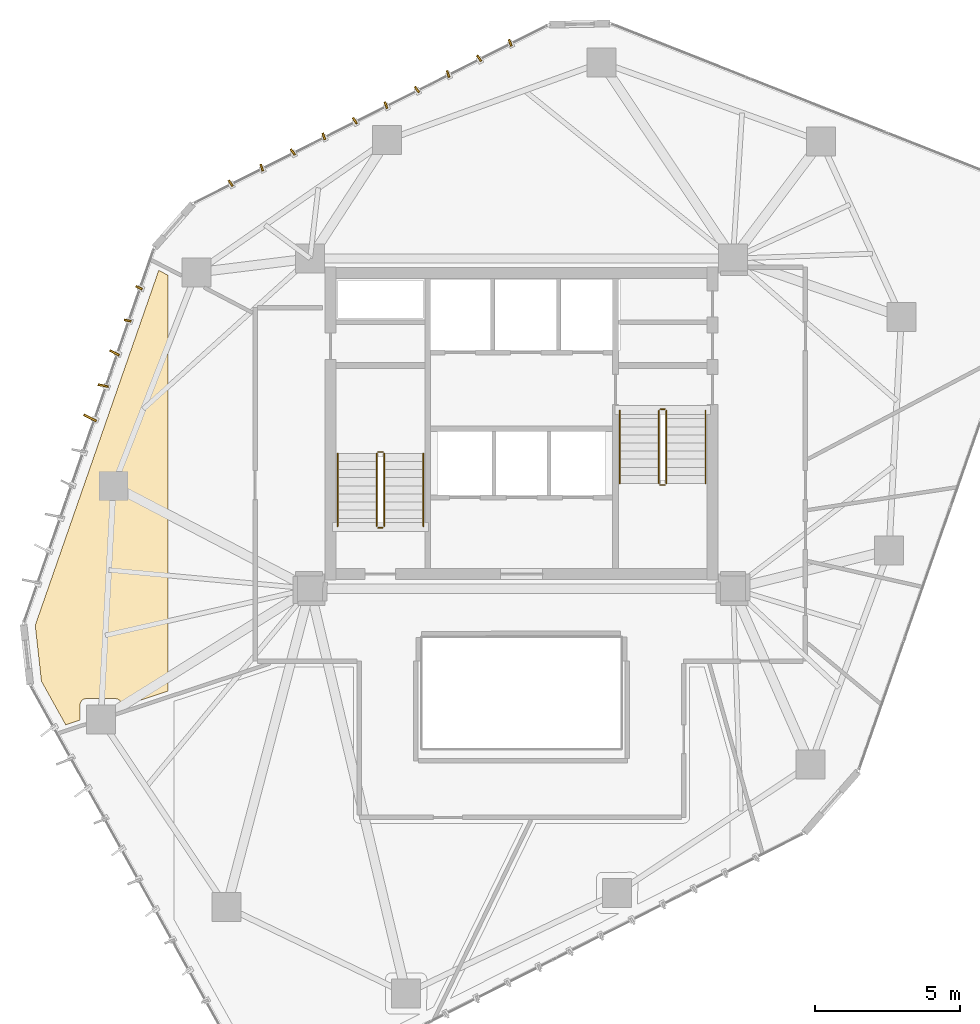
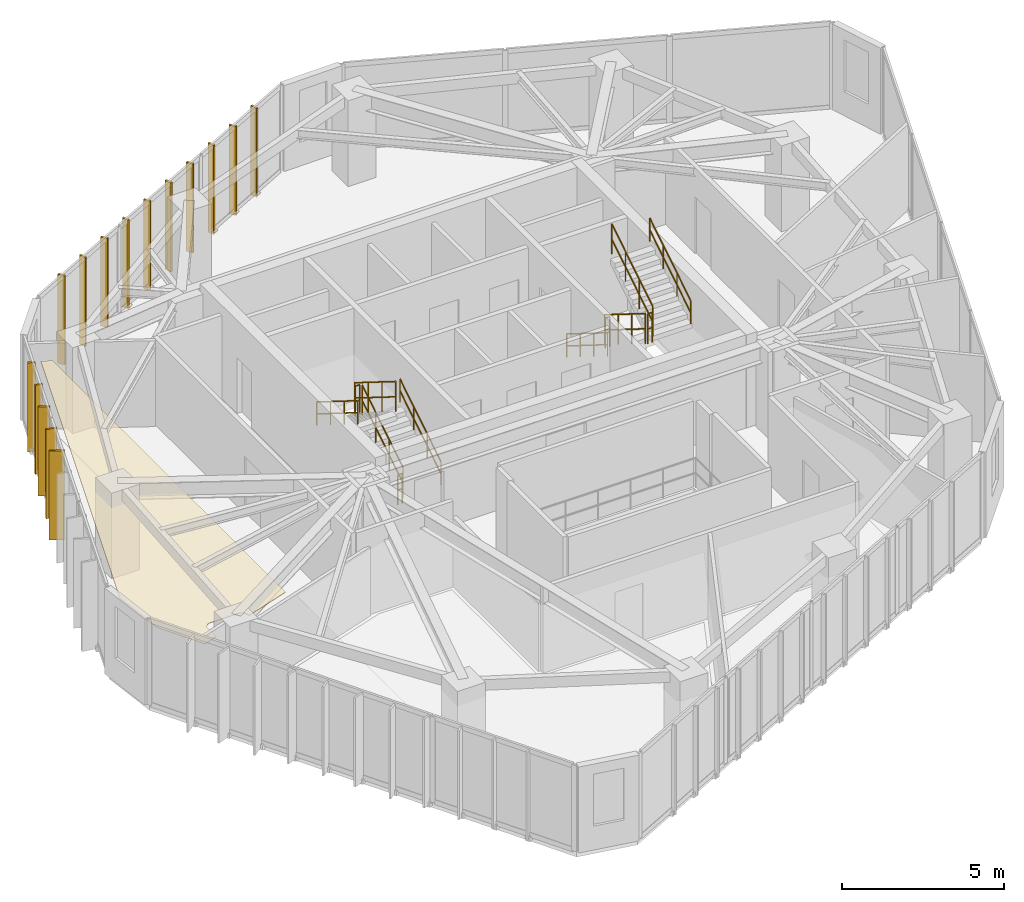
# One storey, part 20 of 20: 15 shading devices, 12 railings, 1 covering.
"""IFC4 building model written with IfcOpenShell, lengths in metres."""

from ifc_helpers import new_model, si_unit, direction, frame, origin, origin_2d, place, context, subcontext, project, spatial, polyline, rectangle, circle, outline, extrude, source, transform, mapped, material, layer, layer_set, type_object, type_shapes, element, save


model = new_model("IFC4")

# Units and contexts
model_context = context("Model", 3, precision=1e-05, world=origin(), true_north=direction((0.0, 1.0)))
body_context = subcontext(model_context, "Body", "Model", "MODEL_VIEW")
ifc_project = project(units=[si_unit("LENGTHUNIT", "METRE"), si_unit("AREAUNIT", "SQUARE_METRE"), si_unit("VOLUMEUNIT", "CUBIC_METRE"), si_unit("PLANEANGLEUNIT", "RADIAN"), si_unit("MASSUNIT", "GRAM", prefix="KILO")], contexts=[model_context])

# Site, building, storey
site_placement = place(None, origin())
site = spatial("IfcSite", under=ifc_project, at=site_placement, CompositionType="ELEMENT")
building_placement = place(site_placement, origin())
building = spatial("IfcBuilding", under=site, at=building_placement, Name="Talar Marvaseh", CompositionType="ELEMENT")
storey_placement = place(building_placement, frame((0.0, 0.0, 170.5)))
storey = spatial("IfcBuildingStorey", under=building, at=storey_placement, Name="L44", CompositionType="ELEMENT", Elevation=170.5)

# Railings
ifc_material_1 = material(Name="Stainless Steel Grade 316", Category="steel")
railing_type_1 = type_object("IfcRailingType", Name="Brushed Stainless Wall Pitch Handrail 900", PredefinedType="HANDRAIL", material=ifc_material_1)
railing_1_placement = place(storey_placement, frame((22.610107421875, 27.64990234375, 0.175048828125)))
element("IfcRailing", 1, at=railing_1_placement, inside=storey, type_object=railing_type_1, Name="L44 ST-1 stair handrail 1", PredefinedType="HANDRAIL", context=body_context, shape_type="SweptSolid", body=[
    extrude(circle(Radius=0.02392578125, at=origin_2d()), frame((0.0, 0.0, 0.8759765625), z_axis=(0.0, 0.848007534815, 0.529984170421), x_axis=(-1.0, 0.0, 0.0)), (0.0, 0.0, 1.0), 2.9716796875),
    extrude(circle(Radius=0.02392578125, at=origin_2d()), frame((0.0, 0.0, 0.42578125), z_axis=(0.0, 0.848007534815, 0.529984170421), x_axis=(-1.0, 0.0, 0.0)), (0.0, 0.0, 1.0), 2.9716796875),
    extrude(circle(Radius=0.02099609375, at=origin_2d()), origin(), (0.0, 0.0, 1.0), 0.851806640625),
    extrude(circle(Radius=0.02099609375, at=origin_2d()), frame((0.0, 0.840087890625, 0.52490234375)), (0.0, 0.0, 1.0), 0.851806640625),
    extrude(circle(Radius=0.02099609375, at=origin_2d()), frame((0.0, 1.679931640625, 1.050048828125)), (0.0, 0.0, 1.0), 0.851806640625),
    extrude(circle(Radius=0.02099609375, at=origin_2d()), frame((0.0, 2.52001953125, 1.574951171875)), (0.0, 0.0, 1.0), 0.851806640625),
])
for number, where, name in (
    (2, (19.64990234375, 30.169921875, 1.925048828125), "L44 ST-1 stair handrail 2"),
    (3, (29.389892578125, 31.64990234375, 0.175048828125), "L44 ST-2 stair handrail 1"),
):
    element("IfcRailing", number, at=place(storey_placement, frame(where)), inside=storey, type_object=railing_type_1, Name=name, PredefinedType="HANDRAIL", context=body_context, shape_type="SweptSolid", body=[
        extrude(circle(Radius=0.02392578125, at=origin_2d()), frame((0.0, 0.0, 0.8759765625), z_axis=(0.0, -0.848007534815, 0.529984170421), x_axis=(1.0, 0.0, 0.0)), (0.0, 0.0, 1.0), 2.9716796875),
        extrude(circle(Radius=0.02392578125, at=origin_2d()), frame((0.0, 0.0, 0.42578125), z_axis=(0.0, -0.848007534815, 0.529984170421), x_axis=(1.0, 0.0, 0.0)), (0.0, 0.0, 1.0), 2.9716796875),
        extrude(circle(Radius=0.02099609375, at=origin_2d()), origin(), (0.0, 0.0, 1.0), 0.851806640625),
        extrude(circle(Radius=0.02099609375, at=origin_2d()), frame((0.0, -0.840087890625, 0.52490234375)), (0.0, 0.0, 1.0), 0.851806640625),
        extrude(circle(Radius=0.02099609375, at=origin_2d()), frame((0.0, -1.679931640625, 1.050048828125)), (0.0, 0.0, 1.0), 0.851806640625),
        extrude(circle(Radius=0.02099609375, at=origin_2d()), frame((0.0, -2.52001953125, 1.574951171875)), (0.0, 0.0, 1.0), 0.851806640625),
    ])
railing_2_placement = place(storey_placement, frame((32.35009765625, 29.1298828125, 1.925048828125)))
element("IfcRailing", 4, at=railing_2_placement, inside=storey, type_object=railing_type_1, Name="L44 ST-2 stair handrail 2", PredefinedType="HANDRAIL", context=body_context, shape_type="SweptSolid", body=[
    extrude(circle(Radius=0.02392578125, at=origin_2d()), frame((0.0, 0.0, 0.8759765625), z_axis=(0.0, 0.848007534815, 0.529984170421), x_axis=(-1.0, 0.0, 0.0)), (0.0, 0.0, 1.0), 2.9716796875),
    extrude(circle(Radius=0.02392578125, at=origin_2d()), frame((0.0, 0.0, 0.42578125), z_axis=(0.0, 0.848007534815, 0.529984170421), x_axis=(-1.0, 0.0, 0.0)), (0.0, 0.0, 1.0), 2.9716796875),
    extrude(circle(Radius=0.02099609375, at=origin_2d()), origin(), (0.0, 0.0, 1.0), 0.851806640625),
    extrude(circle(Radius=0.02099609375, at=origin_2d()), frame((0.0, 0.840087890625, 0.52490234375)), (0.0, 0.0, 1.0), 0.851806640625),
    extrude(circle(Radius=0.02099609375, at=origin_2d()), frame((0.0, 1.679931640625, 1.050048828125)), (0.0, 0.0, 1.0), 0.851806640625),
    extrude(circle(Radius=0.02099609375, at=origin_2d()), frame((0.0, 2.52001953125, 1.574951171875)), (0.0, 0.0, 1.0), 0.851806640625),
])
railing_type_2 = type_object("IfcRailingType", Name="Painted Steel Core Stair Well Guardrail 1150", PredefinedType="GUARDRAIL", material=ifc_material_1)
railing_3_placement = place(storey_placement, frame((21.260009765625, 27.64990234375, 0.175048828125)))
element("IfcRailing", 5, at=railing_3_placement, inside=storey, type_object=railing_type_2, Name="L44 ST-1 stair guard 1", PredefinedType="GUARDRAIL", context=body_context, shape_type="SweptSolid", body=[
    extrude(circle(Radius=0.02392578125, at=origin_2d()), frame((0.0, 0.0, 1.1259765625), z_axis=(0.0, 0.848007534815, 0.529984170421), x_axis=(-1.0, 0.0, 0.0)), (0.0, 0.0, 1.0), 2.9716796875),
    extrude(circle(Radius=0.02392578125, at=origin_2d()), frame((0.0, 0.0, 0.55078125), z_axis=(0.0, 0.848007534815, 0.529984170421), x_axis=(-1.0, 0.0, 0.0)), (0.0, 0.0, 1.0), 2.9716796875),
    extrude(circle(Radius=0.02099609375, at=origin_2d()), origin(), (0.0, 0.0, 1.0), 1.101806640625),
    extrude(circle(Radius=0.02099609375, at=origin_2d()), frame((0.0, 0.840087890625, 0.52490234375)), (0.0, 0.0, 1.0), 1.101806640625),
    extrude(circle(Radius=0.02099609375, at=origin_2d()), frame((0.0, 1.679931640625, 1.050048828125)), (0.0, 0.0, 1.0), 1.101806640625),
    extrude(circle(Radius=0.02099609375, at=origin_2d()), frame((0.0, 2.52001953125, 1.574951171875)), (0.0, 0.0, 1.0), 1.101806640625),
])
railing_4_placement = place(storey_placement, frame((21.2099609375, 30.219970703125, 1.75)))
element("IfcRailing", 6, at=railing_4_placement, inside=storey, type_object=railing_type_2, Name="L44 ST-1 stair guard 2", PredefinedType="GUARDRAIL", context=body_context, shape_type="SweptSolid", body=[
    extrude(circle(Radius=0.02392578125, at=origin_2d()), frame((0.0, 0.0, 1.1259765625), z_axis=(-1.0, 0.0, 0.0), x_axis=(0.0, -1.0, 0.0)), (0.0, 0.0, 1.0), 0.159912109375),
    extrude(circle(Radius=0.02392578125, at=origin_2d()), frame((0.0, 0.0, 0.55078125), z_axis=(-1.0, 0.0, 0.0), x_axis=(0.0, -1.0, 0.0)), (0.0, 0.0, 1.0), 0.159912109375),
    extrude(circle(Radius=0.02099609375, at=origin_2d()), origin(), (0.0, 0.0, 1.0), 1.101806640625),
    extrude(circle(Radius=0.02099609375, at=origin_2d()), frame((-0.159912109375, 0.0, 0.0)), (0.0, 0.0, 1.0), 1.101806640625),
])
railing_5_placement = place(storey_placement, frame((21.0, 30.169921875, 1.925048828125)))
element("IfcRailing", 7, at=railing_5_placement, inside=storey, type_object=railing_type_2, Name="L44 ST-1 stair guard 3", PredefinedType="GUARDRAIL", context=body_context, shape_type="SweptSolid", body=[
    extrude(circle(Radius=0.02392578125, at=origin_2d()), frame((0.0, 0.0, 1.1259765625), z_axis=(0.0, -0.848007534815, 0.529984170421), x_axis=(1.0, 0.0, 0.0)), (0.0, 0.0, 1.0), 2.9716796875),
    extrude(circle(Radius=0.02392578125, at=origin_2d()), frame((0.0, 0.0, 0.55078125), z_axis=(0.0, -0.848007534815, 0.529984170421), x_axis=(1.0, 0.0, 0.0)), (0.0, 0.0, 1.0), 2.9716796875),
    extrude(circle(Radius=0.02099609375, at=origin_2d()), origin(), (0.0, 0.0, 1.0), 1.101806640625),
    extrude(circle(Radius=0.02099609375, at=origin_2d()), frame((0.0, -0.840087890625, 0.52490234375)), (0.0, 0.0, 1.0), 1.101806640625),
    extrude(circle(Radius=0.02099609375, at=origin_2d()), frame((0.0, -1.679931640625, 1.050048828125)), (0.0, 0.0, 1.0), 1.101806640625),
    extrude(circle(Radius=0.02099609375, at=origin_2d()), frame((0.0, -2.52001953125, 1.574951171875)), (0.0, 0.0, 1.0), 1.101806640625),
])
railing_6_placement = place(storey_placement, frame((21.2099609375, 27.60009765625, 0.0)))
element("IfcRailing", 8, at=railing_6_placement, inside=storey, type_object=railing_type_2, Name="L44 ST-1 stair guard 4", PredefinedType="GUARDRAIL", context=body_context, shape_type="SweptSolid", body=[
    extrude(circle(Radius=0.02392578125, at=origin_2d()), frame((0.0, 0.0, 1.1259765625), z_axis=(-1.0, 0.0, 0.0), x_axis=(0.0, -1.0, 0.0)), (0.0, 0.0, 1.0), 0.159912109375),
    extrude(circle(Radius=0.02392578125, at=origin_2d()), frame((0.0, 0.0, 0.55078125), z_axis=(-1.0, 0.0, 0.0), x_axis=(0.0, -1.0, 0.0)), (0.0, 0.0, 1.0), 0.159912109375),
    extrude(circle(Radius=0.02099609375, at=origin_2d()), origin(), (0.0, 0.0, 1.0), 1.101806640625),
    extrude(circle(Radius=0.02099609375, at=origin_2d()), frame((-0.159912109375, 0.0, 0.0)), (0.0, 0.0, 1.0), 1.101806640625),
])
railing_7_placement = place(storey_placement, frame((30.739990234375, 31.64990234375, 0.175048828125)))
element("IfcRailing", 9, at=railing_7_placement, inside=storey, type_object=railing_type_2, Name="L44 ST-2 stair guard 1", PredefinedType="GUARDRAIL", context=body_context, shape_type="SweptSolid", body=[
    extrude(circle(Radius=0.02392578125, at=origin_2d()), frame((0.0, 0.0, 1.1259765625), z_axis=(0.0, -0.848007534815, 0.529984170421), x_axis=(1.0, 0.0, 0.0)), (0.0, 0.0, 1.0), 2.9716796875),
    extrude(circle(Radius=0.02392578125, at=origin_2d()), frame((0.0, 0.0, 0.55078125), z_axis=(0.0, -0.848007534815, 0.529984170421), x_axis=(1.0, 0.0, 0.0)), (0.0, 0.0, 1.0), 2.9716796875),
    extrude(circle(Radius=0.02099609375, at=origin_2d()), origin(), (0.0, 0.0, 1.0), 1.101806640625),
    extrude(circle(Radius=0.02099609375, at=origin_2d()), frame((0.0, -0.840087890625, 0.52490234375)), (0.0, 0.0, 1.0), 1.101806640625),
    extrude(circle(Radius=0.02099609375, at=origin_2d()), frame((0.0, -1.679931640625, 1.050048828125)), (0.0, 0.0, 1.0), 1.101806640625),
    extrude(circle(Radius=0.02099609375, at=origin_2d()), frame((0.0, -2.52001953125, 1.574951171875)), (0.0, 0.0, 1.0), 1.101806640625),
])
railing_8_placement = place(storey_placement, frame((30.7900390625, 29.080078125, 1.75)))
element("IfcRailing", 10, at=railing_8_placement, inside=storey, type_object=railing_type_2, Name="L44 ST-2 stair guard 2", PredefinedType="GUARDRAIL", context=body_context, shape_type="SweptSolid", body=[
    extrude(circle(Radius=0.02392578125, at=origin_2d()), frame((0.0, 0.0, 1.1259765625), z_axis=(1.0, 0.0, 0.0), x_axis=(0.0, 1.0, 0.0)), (0.0, 0.0, 1.0), 0.159912109375),
    extrude(circle(Radius=0.02392578125, at=origin_2d()), frame((0.0, 0.0, 0.55078125), z_axis=(1.0, 0.0, 0.0), x_axis=(0.0, 1.0, 0.0)), (0.0, 0.0, 1.0), 0.159912109375),
    extrude(circle(Radius=0.02099609375, at=origin_2d()), origin(), (0.0, 0.0, 1.0), 1.101806640625),
    extrude(circle(Radius=0.02099609375, at=origin_2d()), frame((0.159912109375, 0.0, 0.0)), (0.0, 0.0, 1.0), 1.101806640625),
])
railing_9_placement = place(storey_placement, frame((31.0, 29.1298828125, 1.925048828125)))
element("IfcRailing", 11, at=railing_9_placement, inside=storey, type_object=railing_type_2, Name="L44 ST-2 stair guard 3", PredefinedType="GUARDRAIL", context=body_context, shape_type="SweptSolid", body=[
    extrude(circle(Radius=0.02392578125, at=origin_2d()), frame((0.0, 0.0, 1.1259765625), z_axis=(0.0, 0.848007534815, 0.529984170421), x_axis=(-1.0, 0.0, 0.0)), (0.0, 0.0, 1.0), 2.9716796875),
    extrude(circle(Radius=0.02392578125, at=origin_2d()), frame((0.0, 0.0, 0.55078125), z_axis=(0.0, 0.848007534815, 0.529984170421), x_axis=(-1.0, 0.0, 0.0)), (0.0, 0.0, 1.0), 2.9716796875),
    extrude(circle(Radius=0.02099609375, at=origin_2d()), origin(), (0.0, 0.0, 1.0), 1.101806640625),
    extrude(circle(Radius=0.02099609375, at=origin_2d()), frame((0.0, 0.840087890625, 0.52490234375)), (0.0, 0.0, 1.0), 1.101806640625),
    extrude(circle(Radius=0.02099609375, at=origin_2d()), frame((0.0, 1.679931640625, 1.050048828125)), (0.0, 0.0, 1.0), 1.101806640625),
    extrude(circle(Radius=0.02099609375, at=origin_2d()), frame((0.0, 2.52001953125, 1.574951171875)), (0.0, 0.0, 1.0), 1.101806640625),
])
railing_10_placement = place(storey_placement, frame((30.7900390625, 31.699951171875, 0.0)))
element("IfcRailing", 12, at=railing_10_placement, inside=storey, type_object=railing_type_2, Name="L44 ST-2 stair guard 4", PredefinedType="GUARDRAIL", context=body_context, shape_type="SweptSolid", body=[
    extrude(circle(Radius=0.02392578125, at=origin_2d()), frame((0.0, 0.0, 1.1259765625), z_axis=(1.0, 0.0, 0.0), x_axis=(0.0, 1.0, 0.0)), (0.0, 0.0, 1.0), 0.159912109375),
    extrude(circle(Radius=0.02392578125, at=origin_2d()), frame((0.0, 0.0, 0.55078125), z_axis=(1.0, 0.0, 0.0), x_axis=(0.0, 1.0, 0.0)), (0.0, 0.0, 1.0), 0.159912109375),
    extrude(circle(Radius=0.02099609375, at=origin_2d()), origin(), (0.0, 0.0, 1.0), 1.101806640625),
    extrude(circle(Radius=0.02099609375, at=origin_2d()), frame((0.159912109375, 0.0, 0.0)), (0.0, 0.0, 1.0), 1.101806640625),
])

# Covering
ifc_material_2 = material(Name="Mineral Fibre Acoustic Ceiling")
ifc_layer_1 = layer(ifc_material_2, 0.02490234375)
ifc_layer_set_1 = layer_set([ifc_layer_1], Name="Mineral Fibre Acoustic Ceiling")
covering_type = type_object("IfcCoveringType", Name="Perforated Mineral Fibre Acoustic Suspended Ceiling", PredefinedType="CEILING", material=ifc_layer_set_1)
covering_placement = place(storey_placement, frame((0.0, 0.0, 2.64990234375)))
element("IfcCovering", 13, at=covering_placement, inside=storey, type_object=covering_type, Name="L44 Archival Facsimile Boutique Acoustic Ceiling", PredefinedType="CEILING", context=body_context, shape_type="SweptSolid", body=[
    extrude(outline(polyline([(13.800048828125, 36.31884765625), (13.800048828125, 21.96533203125), (12.18701171875, 21.432861328125), (12.18701171875, 21.486083984375), (12.185791015625, 21.507080078125), (12.1826171875, 21.528076171875), (12.177001953125, 21.54833984375), (12.16943359375, 21.568115234375), (12.15966796875, 21.5869140625), (12.148193359375, 21.6044921875), (12.137451171875, 21.618896484375), (12.125732421875, 21.633544921875), (12.112548828125, 21.64697265625), (12.098388671875, 21.658935546875), (12.0830078125, 21.669677734375), (12.066650390625, 21.678955078125), (12.049560546875, 21.6865234375), (12.03173828125, 21.692626953125), (12.013671875, 21.697021484375), (11.9951171875, 21.699462890625), (11.976318359375, 21.700439453125), (10.967529296875, 21.700439453125), (10.948974609375, 21.699462890625), (10.930419921875, 21.697021484375), (10.912109375, 21.692626953125), (10.894287109375, 21.6865234375), (10.87744140625, 21.678955078125), (10.861083984375, 21.669677734375), (10.845703125, 21.658935546875), (10.831298828125, 21.64697265625), (10.818359375, 21.633544921875), (10.806396484375, 21.618896484375), (10.7958984375, 21.6044921875), (10.7841796875, 21.5869140625), (10.774658203125, 21.568115234375), (10.76708984375, 21.54833984375), (10.761474609375, 21.528076171875), (10.758056640625, 21.507080078125), (10.757080078125, 21.486083984375), (10.757080078125, 20.960693359375), (10.261474609375, 20.797119140625), (9.42431640625, 22.30126953125), (9.208740234375, 24.232421875), (13.472412109375, 36.489013671875), (13.800048828125, 36.31884765625)])), origin(), (0.0, 0.0, 1.0), 0.025146484375),
])

# Shading devices
ifc_material_3 = material(Name="Anodised Champagne Bronze Aluminium", Category="aluminium")
ifc_layer_2 = layer(ifc_material_3, 0.06494140625)
ifc_layer_set_2 = layer_set([ifc_layer_2], Name="Anodised Champagne Bronze Aluminium")
shading_device_type_1 = type_object("IfcShadingDeviceType", Name="Sawtooth Champagne Bronze Vertical Fin 240", PredefinedType="USERDEFINED", material=ifc_layer_set_2)
shared_shape_1 = source(origin(), body_context, "Body", "SweptSolid", [
    extrude(rectangle(XDim=0.239990234375, YDim=0.06494140625, at=origin_2d()), origin(), (0.0, 0.0, 1.0), 3.35009765625),
])
type_shapes(shading_device_type_1, [shared_shape_1])
for number, where, z_axis, x_axis, name in (
    (14, (12.39892578125, 34.757080078125, -0.1201171875), (0.0, 0.0, 1.0), (-0.981022896164, 0.193891921448, 0.0), "L44 Sawtooth Vertical Solar Fin"),
    (15, (12.793212890625, 35.890625, -0.1201171875), (0.0, 0.0, 1.0), (-0.889575876378, 0.456787434334, 0.0), "L44 Sawtooth Vertical Solar Fin"),
    (16, (15.95751953125, 39.49853515625, -0.1201171875), (0.0, 0.0, 1.0), (-0.568992506345, 0.82234270698, 0.0), "L44 Sawtooth Vertical Solar Fin"),
    (17, (17.029541015625, 40.03759765625, -0.1201171875), (0.0, 0.0, 1.0), (-0.320282332298, 0.947322135083, 0.0), "L44 Sawtooth Vertical Solar Fin"),
    (18, (18.101806640625, 40.576416015625, -0.1201171875), (0.0, 0.0, 1.0), (-0.568992506345, 0.82234270698, 0.0), "L44 Sawtooth Vertical Solar Fin"),
    (19, (19.174072265625, 41.115234375, -0.1201171875), (0.0, 0.0, 1.0), (-0.320282332298, 0.947322135083, 0.0), "L44 Sawtooth Vertical Solar Fin"),
    (20, (20.24609375, 41.654052734375, -0.1201171875), (0.0, 0.0, 1.0), (-0.568992506345, 0.82234270698, 0.0), "L44 Sawtooth Vertical Solar Fin"),
    (21, (21.318603515625, 42.19287109375, -0.1201171875), (0.0, 0.0, 1.0), (-0.320282332298, 0.947322135083, 0.0), "L44 Sawtooth Vertical Solar Fin"),
    (22, (22.390625, 42.731689453125, -0.1201171875), (0.0, 0.0, 1.0), (-0.568992506345, 0.82234270698, 0.0), "L44 Sawtooth Vertical Solar Fin"),
    (23, (23.462890625, 43.2705078125, -0.1201171875), (0.0, 0.0, 1.0), (-0.320282332298, 0.947322135083, 0.0), "L44 Sawtooth Vertical Solar Fin"),
    (24, (24.53515625, 43.809326171875, -0.1201171875), (0.0, 0.0, 1.0), (-0.568992506345, 0.82234270698, 0.0), "L44 Sawtooth Vertical Solar Fin"),
    (25, (25.607421875, 44.348388671875, -0.1201171875), (0.0, 0.0, 1.0), (-0.320282332298, 0.947322135083, 0.0), "L44 Sawtooth Vertical Solar Fin"),
):
    element("IfcShadingDevice", number, at=place(storey_placement, frame(where, z_axis=z_axis, x_axis=x_axis)), inside=storey, type_object=shading_device_type_1, Name=name, ObjectType="FIN", PredefinedType="USERDEFINED", context=body_context, shape_type="MappedRepresentation", body=[
        mapped(shared_shape_1, transform((0.0, 0.0, 0.0), x_axis=(1.0, 0.0, 0.0), y_axis=(0.0, 1.0, 0.0), z_axis=(0.0, 0.0, 1.0), scale=1.0)),
    ])
ifc_layer_3 = layer(ifc_material_3, 0.06494140625)
ifc_layer_set_3 = layer_set([ifc_layer_3], Name="Anodised Champagne Bronze Aluminium")
shading_device_type_2 = type_object("IfcShadingDeviceType", Name="Sawtooth Champagne Bronze Vertical Fin 360", PredefinedType="USERDEFINED", material=ifc_layer_set_3)
shared_shape_2 = source(origin(), body_context, "Body", "SweptSolid", [
    extrude(rectangle(XDim=0.360107421875, YDim=0.06494140625, at=origin_2d()), origin(), (0.0, 0.0, 1.0), 3.35009765625),
])
type_shapes(shading_device_type_2, [shared_shape_2])
for number, where, z_axis, x_axis, name in (
    (26, (11.5537109375, 32.51025390625, -0.1201171875), (0.0, 0.0, 1.0), (-0.981022896164, 0.193891921448, 0.0), "L44 Sawtooth Vertical Solar Fin"),
    (27, (11.947998046875, 33.6435546875, -0.1201171875), (0.0, 0.0, 1.0), (-0.889575876378, 0.456787434334, 0.0), "L44 Sawtooth Vertical Solar Fin"),
):
    element("IfcShadingDevice", number, at=place(storey_placement, frame(where, z_axis=z_axis, x_axis=x_axis)), inside=storey, type_object=shading_device_type_2, Name=name, ObjectType="FIN", PredefinedType="USERDEFINED", context=body_context, shape_type="MappedRepresentation", body=[
        mapped(shared_shape_2, transform((0.0, 0.0, 0.0), x_axis=(1.0, 0.0, 0.0), y_axis=(0.0, 1.0, 0.0), z_axis=(0.0, 0.0, 1.0), scale=1.0)),
    ])
ifc_layer_4 = layer(ifc_material_3, 0.06494140625)
ifc_layer_set_4 = layer_set([ifc_layer_4], Name="Anodised Champagne Bronze Aluminium")
shading_device_type_3 = type_object("IfcShadingDeviceType", Name="Sawtooth Champagne Bronze Vertical Fin 480", PredefinedType="USERDEFINED", material=ifc_layer_set_4)
shared_shape_3 = source(origin(), body_context, "Body", "SweptSolid", [
    extrude(rectangle(XDim=0.47998046875, YDim=0.06494140625, at=origin_2d()), origin(), (0.0, 0.0, 1.0), 3.35009765625),
])
type_shapes(shading_device_type_3, [shared_shape_3])
shading_device_placement = place(storey_placement, frame((11.102783203125, 31.396484375, -0.1201171875), z_axis=(0.0, 0.0, 1.0), x_axis=(-0.889575876378, 0.456787434334, 0.0)))
element("IfcShadingDevice", 28, at=shading_device_placement, inside=storey, type_object=shading_device_type_3, Name="L44 Sawtooth Vertical Solar Fin", ObjectType="FIN", PredefinedType="USERDEFINED", context=body_context, shape_type="MappedRepresentation", body=[
    mapped(shared_shape_3, transform((0.0, 0.0, 0.0), x_axis=(1.0, 0.0, 0.0), y_axis=(0.0, 1.0, 0.0), z_axis=(0.0, 0.0, 1.0), scale=1.0)),
])

save(model, "model.ifc")
